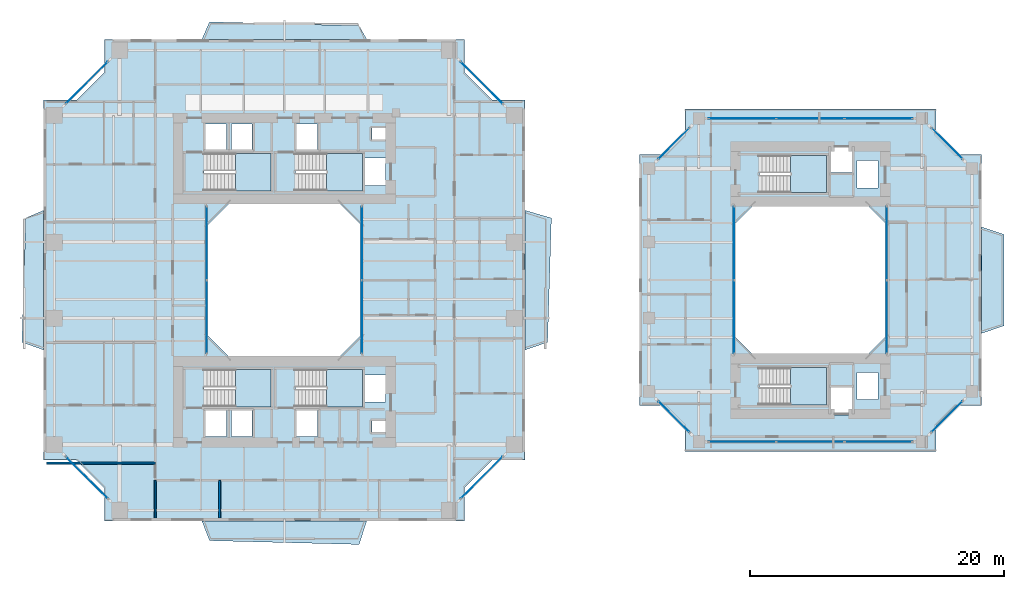
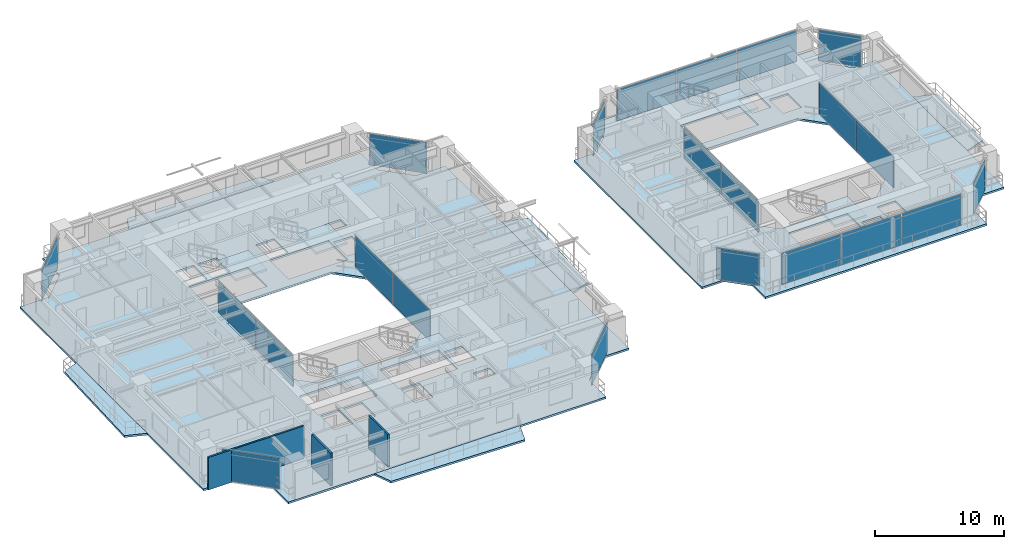
# One storey, part 11 of 24: 22 plates, 13 slabs, 3 walls, 20 elements without a shape of their own.
"""IFC4 building model written with IfcOpenShell, lengths in metres."""

from ifc_helpers import new_model, si_unit, direction, frame, frame_2d, origin, origin_2d, place, context, subcontext, project, spatial, polyline, rectangle, outline, extrude, source, transform, mapped, material, layer, layer_set, type_object, element, aggregate, save


model = new_model("IFC4")

# Units and contexts
model_context = context("Model", 3, precision=1e-05, world=origin(), true_north=direction((0.0, 1.0)))
body_context = subcontext(model_context, "Body", "Model", "MODEL_VIEW")
ifc_project = project(units=[si_unit("LENGTHUNIT", "METRE"), si_unit("AREAUNIT", "SQUARE_METRE"), si_unit("VOLUMEUNIT", "CUBIC_METRE"), si_unit("PLANEANGLEUNIT", "RADIAN"), si_unit("MASSUNIT", "GRAM", prefix="KILO"), si_unit("THERMODYNAMICTEMPERATUREUNIT", "KELVIN"), si_unit("POWERUNIT", "WATT")], contexts=[model_context])

# Site, building, storey
site_placement = place(None, origin())
site = spatial("IfcSite", under=ifc_project, at=site_placement, CompositionType="ELEMENT")
building_placement = place(site_placement, origin())
building = spatial("IfcBuilding", under=site, at=building_placement, Name="Qiaomeng Ring Towers", CompositionType="ELEMENT")
storey_placement = place(building_placement, frame((0.0, 0.0, 56.75)))
storey = spatial("IfcBuildingStorey", under=building, at=storey_placement, Name="L15", CompositionType="ELEMENT", Elevation=56.75)

# Slabs
ifc_material_1 = material(Name="Concrete C40", Category="concrete")
ifc_layer_1 = layer(ifc_material_1, 0.179931640625, Name="Concrete C40")
ifc_layer_set_1 = layer_set([ifc_layer_1], Name="Concrete C40")
slab_type_1 = type_object("IfcSlabType", Name="STR-SL-180", PredefinedType="FLOOR", material=ifc_layer_set_1)
slab_1_placement = place(storey_placement, frame((0.0, 0.0, -0.179931640625)))
element("IfcSlab", 1, at=slab_1_placement, inside=storey, type_object=slab_type_1, Name="L15 Tower 1 Annular Floor Slab", PredefinedType="FLOOR", context=body_context, shape_type="SweptSolid", body=[
    extrude(outline(polyline([(4.800048828125, 4.0), (33.199951171875, 4.0), (33.199951171875, 6.60009765625), (35.39990234375, 8.800048828125), (38.0, 8.800048828125), (38.0, 37.199951171875), (35.39990234375, 37.199951171875), (33.199951171875, 39.39990234375), (33.199951171875, 42.0), (4.800048828125, 42.0), (4.800048828125, 39.39990234375), (2.60009765625, 37.199951171875), (0.0, 37.199951171875), (0.0, 8.800048828125), (2.60009765625, 8.800048828125), (4.800048828125, 6.60009765625), (4.800048828125, 4.0)]), holes=[polyline([(12.780029296875, 10.679931640625), (12.780029296875, 12.820068359375), (14.419921875, 12.820068359375), (14.419921875, 10.679931640625), (12.780029296875, 10.679931640625)]), polyline([(14.830078125, 12.820068359375), (16.469970703125, 12.820068359375), (16.469970703125, 10.679931640625), (14.830078125, 10.679931640625), (14.830078125, 12.820068359375)]), polyline([(12.679931640625, 15.949951171875), (17.949951171875, 15.949951171875), (17.949951171875, 13.010009765625), (12.679931640625, 13.010009765625), (12.679931640625, 15.949951171875)]), polyline([(25.199951171875, 27.199951171875), (25.199951171875, 18.800048828125), (23.199951171875, 16.800048828125), (14.800048828125, 16.800048828125), (12.800048828125, 18.800048828125), (12.800048828125, 27.199951171875), (14.800048828125, 29.199951171875), (23.199951171875, 29.199951171875), (25.199951171875, 27.199951171875)]), polyline([(12.679931640625, 32.989990234375), (17.949951171875, 32.989990234375), (17.949951171875, 30.050048828125), (12.679931640625, 30.050048828125), (12.679931640625, 32.989990234375)]), polyline([(12.780029296875, 35.320068359375), (14.419921875, 35.320068359375), (14.419921875, 33.179931640625), (12.780029296875, 33.179931640625), (12.780029296875, 35.320068359375)]), polyline([(14.830078125, 35.320068359375), (16.469970703125, 35.320068359375), (16.469970703125, 33.179931640625), (14.830078125, 33.179931640625), (14.830078125, 35.320068359375)]), polyline([(19.97998046875, 35.320068359375), (21.6201171875, 35.320068359375), (21.6201171875, 33.179931640625), (19.97998046875, 33.179931640625), (19.97998046875, 35.320068359375)]), polyline([(25.919921875, 11.89990234375), (27.360107421875, 11.89990234375), (27.360107421875, 11.0), (25.919921875, 11.0), (25.919921875, 11.89990234375)]), polyline([(19.97998046875, 12.820068359375), (21.6201171875, 12.820068359375), (21.6201171875, 10.679931640625), (19.97998046875, 10.679931640625), (19.97998046875, 12.820068359375)]), polyline([(25.360107421875, 15.52001953125), (27.0, 15.52001953125), (27.0, 13.3798828125), (25.360107421875, 13.3798828125), (25.360107421875, 15.52001953125)]), polyline([(19.8798828125, 15.949951171875), (25.14990234375, 15.949951171875), (25.14990234375, 13.010009765625), (19.8798828125, 13.010009765625), (19.8798828125, 15.949951171875)]), polyline([(19.8798828125, 32.989990234375), (25.14990234375, 32.989990234375), (25.14990234375, 30.050048828125), (19.8798828125, 30.050048828125), (19.8798828125, 32.989990234375)]), polyline([(25.360107421875, 32.6201171875), (27.0, 32.6201171875), (27.0, 30.47998046875), (25.360107421875, 30.47998046875), (25.360107421875, 32.6201171875)]), polyline([(25.919921875, 35.0), (27.360107421875, 35.0), (27.360107421875, 34.10009765625), (25.919921875, 34.10009765625), (25.919921875, 35.0)])]), origin(), (0.0, 0.0, 1.0), 0.179931640625),
])
slab_2_placement = place(storey_placement, frame((0.0, 0.0, -0.179931640625)))
element("IfcSlab", 2, at=slab_2_placement, inside=storey, type_object=slab_type_1, Name="L15 Companion Tower 2 Annular Floor Slab", PredefinedType="FLOOR", context=body_context, shape_type="SweptSolid", body=[
    extrude(outline(polyline([(50.60009765625, 9.5), (70.39990234375, 9.5), (70.39990234375, 11.5), (72.0, 13.10009765625), (74.0, 13.10009765625), (74.0, 32.89990234375), (72.0, 32.89990234375), (70.39990234375, 34.5), (70.39990234375, 36.5), (50.60009765625, 36.5), (50.60009765625, 34.5), (49.0, 32.89990234375), (47.0, 32.89990234375), (47.0, 13.10009765625), (49.0, 13.10009765625), (50.60009765625, 11.5), (50.60009765625, 9.5)]), holes=[polyline([(62.1298828125, 12.3798828125), (62.1298828125, 14.52001953125), (63.77001953125, 14.52001953125), (63.77001953125, 12.3798828125), (62.1298828125, 12.3798828125)]), polyline([(56.47998046875, 13.159912109375), (56.47998046875, 16.10009765625), (61.75, 16.10009765625), (61.75, 13.159912109375), (56.47998046875, 13.159912109375)]), polyline([(64.179931640625, 13.580078125), (64.179931640625, 15.719970703125), (65.820068359375, 15.719970703125), (65.820068359375, 13.580078125), (64.179931640625, 13.580078125)]), polyline([(64.800048828125, 29.10009765625), (66.60009765625, 27.300048828125), (66.60009765625, 18.699951171875), (64.800048828125, 16.89990234375), (56.199951171875, 16.89990234375), (54.39990234375, 18.699951171875), (54.39990234375, 27.300048828125), (56.199951171875, 29.10009765625), (64.800048828125, 29.10009765625)]), polyline([(64.179931640625, 30.280029296875), (64.179931640625, 32.419921875), (65.820068359375, 32.419921875), (65.820068359375, 30.280029296875), (64.179931640625, 30.280029296875)]), polyline([(56.47998046875, 32.840087890625), (61.75, 32.840087890625), (61.75, 29.89990234375), (56.47998046875, 29.89990234375), (56.47998046875, 32.840087890625)]), polyline([(62.1298828125, 33.6201171875), (63.77001953125, 33.6201171875), (63.77001953125, 31.47998046875), (62.1298828125, 31.47998046875), (62.1298828125, 33.6201171875)])]), origin(), (0.0, 0.0, 1.0), 0.179931640625),
])
ifc_layer_2 = layer(ifc_material_1, 0.179931640625, Name="Concrete C40")
ifc_layer_set_2 = layer_set([ifc_layer_2], Name="Concrete C40")
slab_type_2 = type_object("IfcSlabType", Name="STR-SL-BAL", PredefinedType="FLOOR", material=ifc_layer_set_2)
slab_3_placement = place(storey_placement, frame((0.0, 0.0, -0.179931640625)))
element("IfcSlab", 3, at=slab_3_placement, inside=storey, type_object=slab_type_2, Name="L15 Tower 1 S Faceted Balcony Slab", PredefinedType="FLOOR", context=body_context, shape_type="SweptSolid", body=[
    extrude(outline(polyline([(24.89990234375, 2.14990234375), (13.10009765625, 2.449951171875), (12.5, 4.0), (25.5, 4.0), (24.89990234375, 2.14990234375)])), origin(), (0.0, 0.0, 1.0), 0.179931640625),
])
slab_4_placement = place(storey_placement, frame((0.0, 0.0, -0.179931640625)))
element("IfcSlab", 4, at=slab_4_placement, inside=storey, type_object=slab_type_2, Name="L15 Tower 1 E Faceted Balcony Slab", PredefinedType="FLOOR", context=body_context, shape_type="SweptSolid", body=[
    extrude(outline(polyline([(40.070068359375, 27.89990234375), (39.77001953125, 18.10009765625), (38.0, 17.5), (38.0, 28.5), (40.070068359375, 27.89990234375)])), origin(), (0.0, 0.0, 1.0), 0.179931640625),
])
slab_5_placement = place(storey_placement, frame((0.0, 0.0, -0.179931640625)))
element("IfcSlab", 5, at=slab_5_placement, inside=storey, type_object=slab_type_2, Name="L15 Tower 1 N Faceted Balcony Slab", PredefinedType="FLOOR", context=body_context, shape_type="SweptSolid", body=[
    extrude(outline(polyline([(12.5, 42.0), (13.10009765625, 43.3701171875), (24.89990234375, 43.070068359375), (25.5, 42.0), (12.5, 42.0)])), origin(), (0.0, 0.0, 1.0), 0.179931640625),
])
slab_6_placement = place(storey_placement, frame((0.0, 0.0, -0.179931640625)))
element("IfcSlab", 6, at=slab_6_placement, inside=storey, type_object=slab_type_2, Name="L15 Tower 1 W Faceted Balcony Slab", PredefinedType="FLOOR", context=body_context, shape_type="SweptSolid", body=[
    extrude(outline(polyline([(0.0, 17.5), (-1.699951171875, 18.10009765625), (-1.39990234375, 27.89990234375), (0.0, 28.5), (0.0, 17.5)])), origin(), (0.0, 0.0, 1.0), 0.179931640625),
])
slab_7_placement = place(storey_placement, frame((0.0, 0.0, -0.179931640625)))
element("IfcSlab", 7, at=slab_7_placement, inside=storey, type_object=slab_type_2, Name="L15 Companion East Faceted Balcony Slab", PredefinedType="FLOOR", context=body_context, shape_type="SweptSolid", body=[
    extrude(outline(polyline([(75.77001953125, 26.60009765625), (75.77001953125, 19.39990234375), (74.0, 18.800048828125), (74.0, 27.199951171875), (75.77001953125, 26.60009765625)])), origin(), (0.0, 0.0, 1.0), 0.179931640625),
])

# Stair, slab
ifc_material_2 = material(Name="Precast concrete C40", Category="concrete")
stair_type = type_object("IfcStairType", Name="ARC-ST-325", PredefinedType="HALF_TURN_STAIR", material=ifc_material_2)
stair_1_placement = place(storey_placement, origin())
stair_1 = element("IfcStair", 8, at=stair_1_placement, inside=storey, type_object=stair_type, Name="L15 Tower 1 North Stair 1", PredefinedType="HALF_TURN_STAIR")
ifc_layer_3 = layer(ifc_material_1, 0.199951171875, Name="Concrete C40")
ifc_layer_set_3 = layer_set([ifc_layer_3], Name="Concrete C40")
slab_type_3 = type_object("IfcSlabType", Name="STR-SL-LANDING", PredefinedType="LANDING", material=ifc_layer_set_3)
slab_8_placement = place(storey_placement, frame((0.0, 0.0, 1.425048828125)))
slab_8 = element("IfcSlab", 9, at=slab_8_placement, type_object=slab_type_3, Name="ST1 landing 1", PredefinedType="LANDING", context=body_context, shape_type="SweptSolid", body=[
    extrude(outline(polyline([(15.139892578125, 30.050048828125), (17.949951171875, 30.050048828125), (17.949951171875, 32.989990234375), (15.139892578125, 32.989990234375), (15.139892578125, 30.050048828125)])), origin(), (0.0, 0.0, 1.0), 0.199951171875),
])
aggregate(stair_1, [slab_8])

stair_2_placement = place(storey_placement, origin())
stair_2 = element("IfcStair", 10, at=stair_2_placement, inside=storey, type_object=stair_type, Name="L15 Tower 1 North Stair 2", PredefinedType="HALF_TURN_STAIR")
slab_9_placement = place(storey_placement, frame((0.0, 0.0, 1.425048828125)))
slab_9 = element("IfcSlab", 11, at=slab_9_placement, type_object=slab_type_3, Name="ST2 landing 1", PredefinedType="LANDING", context=body_context, shape_type="SweptSolid", body=[
    extrude(outline(polyline([(22.340087890625, 30.050048828125), (25.14990234375, 30.050048828125), (25.14990234375, 32.989990234375), (22.340087890625, 32.989990234375), (22.340087890625, 30.050048828125)])), origin(), (0.0, 0.0, 1.0), 0.199951171875),
])
aggregate(stair_2, [slab_9])

stair_3_placement = place(storey_placement, origin())
stair_3 = element("IfcStair", 12, at=stair_3_placement, inside=storey, type_object=stair_type, Name="L15 Tower 1 South Stair 3", PredefinedType="HALF_TURN_STAIR")
slab_10_placement = place(storey_placement, frame((0.0, 0.0, 1.425048828125)))
slab_10 = element("IfcSlab", 13, at=slab_10_placement, type_object=slab_type_3, Name="ST3 landing 1", PredefinedType="LANDING", context=body_context, shape_type="SweptSolid", body=[
    extrude(outline(polyline([(15.139892578125, 13.010009765625), (17.949951171875, 13.010009765625), (17.949951171875, 15.949951171875), (15.139892578125, 15.949951171875), (15.139892578125, 13.010009765625)])), origin(), (0.0, 0.0, 1.0), 0.199951171875),
])
aggregate(stair_3, [slab_10])

stair_4_placement = place(storey_placement, origin())
stair_4 = element("IfcStair", 14, at=stair_4_placement, inside=storey, type_object=stair_type, Name="L15 Tower 1 South Stair 4", PredefinedType="HALF_TURN_STAIR")
slab_11_placement = place(storey_placement, frame((0.0, 0.0, 1.425048828125)))
slab_11 = element("IfcSlab", 15, at=slab_11_placement, type_object=slab_type_3, Name="ST4 landing 1", PredefinedType="LANDING", context=body_context, shape_type="SweptSolid", body=[
    extrude(outline(polyline([(22.340087890625, 13.010009765625), (25.14990234375, 13.010009765625), (25.14990234375, 15.949951171875), (22.340087890625, 15.949951171875), (22.340087890625, 13.010009765625)])), origin(), (0.0, 0.0, 1.0), 0.199951171875),
])
aggregate(stair_4, [slab_11])

stair_5_placement = place(storey_placement, origin())
stair_5 = element("IfcStair", 16, at=stair_5_placement, inside=storey, type_object=stair_type, Name="L15 Companion North Stair 5", PredefinedType="HALF_TURN_STAIR")
slab_12_placement = place(storey_placement, frame((0.0, 0.0, 1.425048828125)))
slab_12 = element("IfcSlab", 17, at=slab_12_placement, type_object=slab_type_3, Name="ST5 landing 1", PredefinedType="LANDING", context=body_context, shape_type="SweptSolid", body=[
    extrude(outline(polyline([(58.93994140625, 29.89990234375), (61.75, 29.89990234375), (61.75, 32.840087890625), (58.93994140625, 32.840087890625), (58.93994140625, 29.89990234375)])), origin(), (0.0, 0.0, 1.0), 0.199951171875),
])
aggregate(stair_5, [slab_12])

stair_6_placement = place(storey_placement, origin())
stair_6 = element("IfcStair", 18, at=stair_6_placement, inside=storey, type_object=stair_type, Name="L15 Companion South Stair 6", PredefinedType="HALF_TURN_STAIR")
slab_13_placement = place(storey_placement, frame((0.0, 0.0, 1.425048828125)))
slab_13 = element("IfcSlab", 19, at=slab_13_placement, type_object=slab_type_3, Name="ST6 landing 1", PredefinedType="LANDING", context=body_context, shape_type="SweptSolid", body=[
    extrude(outline(polyline([(58.93994140625, 13.159912109375), (61.75, 13.159912109375), (61.75, 16.10009765625), (58.93994140625, 16.10009765625), (58.93994140625, 13.159912109375)])), origin(), (0.0, 0.0, 1.0), 0.199951171875),
])
aggregate(stair_6, [slab_13])

# Curtain wall, plates
ifc_material_3 = material(Name="Fluorocarbon dark-grey aluminium", Category="aluminium")
ifc_layer_4 = layer(ifc_material_3, 0.139892578125, Name="Fluorocarbon dark-grey aluminium")
ifc_layer_set_4 = layer_set([ifc_layer_4], Name="Fluorocarbon dark-grey aluminium")
curtain_wall_type_1 = type_object("IfcCurtainWallType", Name="ARC-CW-4", PredefinedType="NOTDEFINED", material=ifc_layer_set_4)
curtain_wall_1_placement = place(storey_placement, origin())
curtain_wall_1 = element("IfcCurtainWall", 20, at=curtain_wall_1_placement, inside=storey, type_object=curtain_wall_type_1, Name="L15 Curtain Wall CW4", PredefinedType="NOTDEFINED")
ifc_material_4 = material(Name="Low-E dark-grey laminated double glazing", Category="glass")
ifc_layer_5 = layer(ifc_material_4, 0.028076171875, Name="Low-E dark-grey laminated double glazing")
ifc_layer_set_5 = layer_set([ifc_layer_5], Name="Low-E dark-grey laminated double glazing")
plate_type = type_object("IfcPlateType", Name="ARC-CWP-DARK", PredefinedType="CURTAIN_PANEL", material=ifc_layer_set_5)
shared_shape_1 = source(origin(), body_context, "Body", "SweptSolid", [
    extrude(rectangle(XDim=5.75244140625, YDim=0.028076171875, at=origin_2d()), origin(), (0.0, 0.0, 1.0), 2.93994140625),
])
plate_1_placement = place(storey_placement, frame((12.8798828125, 20.09130859375, 0.06494140625), z_axis=(0.0, 0.0, 1.0), x_axis=(0.0, 1.0, 0.0)))
plate_1 = element("IfcPlate", 21, at=plate_1_placement, type_object=plate_type, Name="CW4 panel 1.1", PredefinedType="CURTAIN_PANEL", context=body_context, shape_type="MappedRepresentation", body=[
    mapped(shared_shape_1, transform((0.0, 0.0, 0.0), x_axis=(1.0, 0.0, 0.0), y_axis=(0.0, 1.0, 0.0), z_axis=(0.0, 0.0, 1.0), scale=1.0)),
])
plate_2_placement = place(storey_placement, frame((12.8798828125, 25.90869140625, 0.06494140625), z_axis=(0.0, 0.0, 1.0), x_axis=(0.0, 1.0, 0.0)))
plate_2 = element("IfcPlate", 22, at=plate_2_placement, type_object=plate_type, Name="CW4 panel 2.1", PredefinedType="CURTAIN_PANEL", context=body_context, shape_type="MappedRepresentation", body=[
    mapped(shared_shape_1, transform((0.0, 0.0, 0.0), x_axis=(1.0, 0.0, 0.0), y_axis=(0.0, 1.0, 0.0), z_axis=(0.0, 0.0, 1.0), scale=1.0)),
])
aggregate(curtain_wall_1, [plate_1, plate_2])

curtain_wall_2_placement = place(storey_placement, origin())
curtain_wall_2 = element("IfcCurtainWall", 23, at=curtain_wall_2_placement, inside=storey, type_object=curtain_wall_type_1, Name="L15 Curtain Wall CW4", PredefinedType="NOTDEFINED")
plate_3_placement = place(storey_placement, frame((25.1201171875, 20.09130859375, 0.06494140625), z_axis=(0.0, 0.0, 1.0), x_axis=(0.0, 1.0, 0.0)))
plate_3 = element("IfcPlate", 24, at=plate_3_placement, type_object=plate_type, Name="CW4 panel 1.1", PredefinedType="CURTAIN_PANEL", context=body_context, shape_type="MappedRepresentation", body=[
    mapped(shared_shape_1, transform((0.0, 0.0, 0.0), x_axis=(1.0, 0.0, 0.0), y_axis=(0.0, 1.0, 0.0), z_axis=(0.0, 0.0, 1.0), scale=1.0)),
])
plate_4_placement = place(storey_placement, frame((25.1201171875, 25.90869140625, 0.06494140625), z_axis=(0.0, 0.0, 1.0), x_axis=(0.0, 1.0, 0.0)))
plate_4 = element("IfcPlate", 25, at=plate_4_placement, type_object=plate_type, Name="CW4 panel 2.1", PredefinedType="CURTAIN_PANEL", context=body_context, shape_type="MappedRepresentation", body=[
    mapped(shared_shape_1, transform((0.0, 0.0, 0.0), x_axis=(1.0, 0.0, 0.0), y_axis=(0.0, 1.0, 0.0), z_axis=(0.0, 0.0, 1.0), scale=1.0)),
])
aggregate(curtain_wall_2, [plate_3, plate_4])

curtain_wall_3_placement = place(storey_placement, origin())
curtain_wall_3 = element("IfcCurtainWall", 26, at=curtain_wall_3_placement, inside=storey, type_object=curtain_wall_type_1, Name="L15 Curtain Wall CW4", PredefinedType="NOTDEFINED")
plate_5_placement = place(storey_placement, frame((54.47998046875, 20.09130859375, 0.06494140625), z_axis=(0.0, 0.0, 1.0), x_axis=(0.0, 1.0, 0.0)))
plate_5 = element("IfcPlate", 27, at=plate_5_placement, type_object=plate_type, Name="CW4 panel 1.1", PredefinedType="CURTAIN_PANEL", context=body_context, shape_type="MappedRepresentation", body=[
    mapped(shared_shape_1, transform((0.0, 0.0, 0.0), x_axis=(1.0, 0.0, 0.0), y_axis=(0.0, 1.0, 0.0), z_axis=(0.0, 0.0, 1.0), scale=1.0)),
])
plate_6_placement = place(storey_placement, frame((54.47998046875, 25.90869140625, 0.06494140625), z_axis=(0.0, 0.0, 1.0), x_axis=(0.0, 1.0, 0.0)))
plate_6 = element("IfcPlate", 28, at=plate_6_placement, type_object=plate_type, Name="CW4 panel 2.1", PredefinedType="CURTAIN_PANEL", context=body_context, shape_type="MappedRepresentation", body=[
    mapped(shared_shape_1, transform((0.0, 0.0, 0.0), x_axis=(1.0, 0.0, 0.0), y_axis=(0.0, 1.0, 0.0), z_axis=(0.0, 0.0, 1.0), scale=1.0)),
])
aggregate(curtain_wall_3, [plate_5, plate_6])

curtain_wall_4_placement = place(storey_placement, origin())
curtain_wall_4 = element("IfcCurtainWall", 29, at=curtain_wall_4_placement, inside=storey, type_object=curtain_wall_type_1, Name="L15 Curtain Wall CW4", PredefinedType="NOTDEFINED")
plate_7_placement = place(storey_placement, frame((66.52001953125, 20.09130859375, 0.06494140625), z_axis=(0.0, 0.0, 1.0), x_axis=(0.0, 1.0, 0.0)))
plate_7 = element("IfcPlate", 30, at=plate_7_placement, type_object=plate_type, Name="CW4 panel 1.1", PredefinedType="CURTAIN_PANEL", context=body_context, shape_type="MappedRepresentation", body=[
    mapped(shared_shape_1, transform((0.0, 0.0, 0.0), x_axis=(1.0, 0.0, 0.0), y_axis=(0.0, 1.0, 0.0), z_axis=(0.0, 0.0, 1.0), scale=1.0)),
])
plate_8_placement = place(storey_placement, frame((66.52001953125, 25.90869140625, 0.06494140625), z_axis=(0.0, 0.0, 1.0), x_axis=(0.0, 1.0, 0.0)))
plate_8 = element("IfcPlate", 31, at=plate_8_placement, type_object=plate_type, Name="CW4 panel 2.1", PredefinedType="CURTAIN_PANEL", context=body_context, shape_type="MappedRepresentation", body=[
    mapped(shared_shape_1, transform((0.0, 0.0, 0.0), x_axis=(1.0, 0.0, 0.0), y_axis=(0.0, 1.0, 0.0), z_axis=(0.0, 0.0, 1.0), scale=1.0)),
])
aggregate(curtain_wall_4, [plate_7, plate_8])

# Curtain wall, plate
ifc_layer_6 = layer(ifc_material_3, 0.159912109375, Name="Fluorocarbon dark-grey aluminium")
ifc_layer_set_6 = layer_set([ifc_layer_6], Name="Fluorocarbon dark-grey aluminium")
curtain_wall_type_2 = type_object("IfcCurtainWallType", Name="ARC-CW-2", PredefinedType="NOTDEFINED", material=ifc_layer_set_6)
curtain_wall_5_placement = place(storey_placement, origin())
curtain_wall_5 = element("IfcCurtainWall", 32, at=curtain_wall_5_placement, inside=storey, type_object=curtain_wall_type_2, Name="L15 Curtain Wall CW2", PredefinedType="NOTDEFINED")
shared_shape_2 = source(origin(), body_context, "Body", "SweptSolid", [
    extrude(rectangle(XDim=4.6259765625, YDim=0.028076171875, at=origin_2d()), origin(), (0.0, 0.0, 1.0), 2.93994140625),
])
plate_9_placement = place(storey_placement, frame((34.574951171875, 7.425048828125, 0.06494140625), z_axis=(0.0, 0.0, 1.0), x_axis=(0.707106781187, 0.707106781187, 0.0)))
plate_9 = element("IfcPlate", 33, at=plate_9_placement, type_object=plate_type, Name="CW2 panel 1.1", PredefinedType="CURTAIN_PANEL", context=body_context, shape_type="MappedRepresentation", body=[
    mapped(shared_shape_2, transform((0.0, 0.0, 0.0), x_axis=(1.0, 0.0, 0.0), y_axis=(0.0, 1.0, 0.0), z_axis=(0.0, 0.0, 1.0), scale=1.0)),
])
aggregate(curtain_wall_5, [plate_9])

curtain_wall_6_placement = place(storey_placement, origin())
curtain_wall_6 = element("IfcCurtainWall", 34, at=curtain_wall_6_placement, inside=storey, type_object=curtain_wall_type_2, Name="L15 Curtain Wall CW2", PredefinedType="NOTDEFINED")
plate_10_placement = place(storey_placement, frame((34.574951171875, 38.574951171875, 0.06494140625), z_axis=(0.0, 0.0, 1.0), x_axis=(-0.707106781187, 0.707106781187, 0.0)))
plate_10 = element("IfcPlate", 35, at=plate_10_placement, type_object=plate_type, Name="CW2 panel 1.1", PredefinedType="CURTAIN_PANEL", context=body_context, shape_type="MappedRepresentation", body=[
    mapped(shared_shape_2, transform((0.0, 0.0, 0.0), x_axis=(1.0, 0.0, 0.0), y_axis=(0.0, 1.0, 0.0), z_axis=(0.0, 0.0, 1.0), scale=1.0)),
])
aggregate(curtain_wall_6, [plate_10])

curtain_wall_7_placement = place(storey_placement, origin())
curtain_wall_7 = element("IfcCurtainWall", 36, at=curtain_wall_7_placement, inside=storey, type_object=curtain_wall_type_2, Name="L15 Curtain Wall CW2", PredefinedType="NOTDEFINED")
plate_11_placement = place(storey_placement, frame((3.425048828125, 38.574951171875, 0.06494140625), z_axis=(0.0, 0.0, 1.0), x_axis=(-0.707106781187, -0.707106781187, 0.0)))
plate_11 = element("IfcPlate", 37, at=plate_11_placement, type_object=plate_type, Name="CW2 panel 1.1", PredefinedType="CURTAIN_PANEL", context=body_context, shape_type="MappedRepresentation", body=[
    mapped(shared_shape_2, transform((0.0, 0.0, 0.0), x_axis=(1.0, 0.0, 0.0), y_axis=(0.0, 1.0, 0.0), z_axis=(0.0, 0.0, 1.0), scale=1.0)),
])
aggregate(curtain_wall_7, [plate_11])

curtain_wall_8_placement = place(storey_placement, origin())
curtain_wall_8 = element("IfcCurtainWall", 38, at=curtain_wall_8_placement, inside=storey, type_object=curtain_wall_type_2, Name="L15 Curtain Wall CW2", PredefinedType="NOTDEFINED")
plate_12_placement = place(storey_placement, frame((3.425048828125, 7.425048828125, 0.06494140625), z_axis=(0.0, 0.0, 1.0), x_axis=(0.707106781187, -0.707106781187, 0.0)))
plate_12 = element("IfcPlate", 39, at=plate_12_placement, type_object=plate_type, Name="CW2 panel 1.1", PredefinedType="CURTAIN_PANEL", context=body_context, shape_type="MappedRepresentation", body=[
    mapped(shared_shape_2, transform((0.0, 0.0, 0.0), x_axis=(1.0, 0.0, 0.0), y_axis=(0.0, 1.0, 0.0), z_axis=(0.0, 0.0, 1.0), scale=1.0)),
])
aggregate(curtain_wall_8, [plate_12])

# Curtain wall, plates
ifc_layer_7 = layer(ifc_material_3, 0.14990234375, Name="Fluorocarbon dark-grey aluminium")
ifc_layer_set_7 = layer_set([ifc_layer_7], Name="Fluorocarbon dark-grey aluminium")
curtain_wall_type_3 = type_object("IfcCurtainWallType", Name="ARC-CW-5", PredefinedType="NOTDEFINED", material=ifc_layer_set_7)
curtain_wall_9_placement = place(storey_placement, origin())
curtain_wall_9 = element("IfcCurtainWall", 40, at=curtain_wall_9_placement, inside=storey, type_object=curtain_wall_type_3, Name="L15 Curtain Wall CW5", PredefinedType="NOTDEFINED")
shared_shape_3 = source(origin(), body_context, "Body", "SweptSolid", [
    extrude(rectangle(XDim=5.284912109375, YDim=0.028076171875, at=origin_2d()), origin(), (0.0, 0.0, 1.0), 2.93994140625),
])
plate_13_placement = place(storey_placement, frame((55.12744140625, 35.75, 0.06494140625), z_axis=(0.0, 0.0, 1.0), x_axis=(1.0, 0.0, 0.0)))
plate_13 = element("IfcPlate", 41, at=plate_13_placement, type_object=plate_type, Name="CW5 panel 1.1", PredefinedType="CURTAIN_PANEL", context=body_context, shape_type="MappedRepresentation", body=[
    mapped(shared_shape_3, transform((0.0, 0.0, 0.0), x_axis=(1.0, 0.0, 0.0), y_axis=(0.0, 1.0, 0.0), z_axis=(0.0, 0.0, 1.0), scale=1.0)),
])
plate_14_placement = place(storey_placement, frame((65.87255859375, 35.75, 0.06494140625), z_axis=(0.0, 0.0, 1.0), x_axis=(1.0, 0.0, 0.0)))
plate_14 = element("IfcPlate", 42, at=plate_14_placement, type_object=plate_type, Name="CW5 panel 3.1", PredefinedType="CURTAIN_PANEL", context=body_context, shape_type="MappedRepresentation", body=[
    mapped(shared_shape_3, transform((0.0, 0.0, 0.0), x_axis=(1.0, 0.0, 0.0), y_axis=(0.0, 1.0, 0.0), z_axis=(0.0, 0.0, 1.0), scale=1.0)),
])

curtain_wall_10_placement = place(storey_placement, origin())
curtain_wall_10 = element("IfcCurtainWall", 43, at=curtain_wall_10_placement, inside=storey, type_object=curtain_wall_type_3, Name="L15 Curtain Wall CW5", PredefinedType="NOTDEFINED")
plate_15_placement = place(storey_placement, frame((55.12744140625, 10.25, 0.06494140625), z_axis=(0.0, 0.0, 1.0), x_axis=(1.0, 0.0, 0.0)))
plate_15 = element("IfcPlate", 44, at=plate_15_placement, type_object=plate_type, Name="CW5 panel 1.1", PredefinedType="CURTAIN_PANEL", context=body_context, shape_type="MappedRepresentation", body=[
    mapped(shared_shape_3, transform((0.0, 0.0, 0.0), x_axis=(1.0, 0.0, 0.0), y_axis=(0.0, 1.0, 0.0), z_axis=(0.0, 0.0, 1.0), scale=1.0)),
])
plate_16_placement = place(storey_placement, frame((65.87255859375, 10.25, 0.06494140625), z_axis=(0.0, 0.0, 1.0), x_axis=(1.0, 0.0, 0.0)))
plate_16 = element("IfcPlate", 45, at=plate_16_placement, type_object=plate_type, Name="CW5 panel 3.1", PredefinedType="CURTAIN_PANEL", context=body_context, shape_type="MappedRepresentation", body=[
    mapped(shared_shape_3, transform((0.0, 0.0, 0.0), x_axis=(1.0, 0.0, 0.0), y_axis=(0.0, 1.0, 0.0), z_axis=(0.0, 0.0, 1.0), scale=1.0)),
])

# Plate
shared_shape_4 = source(origin(), body_context, "Body", "SweptSolid", [
    extrude(rectangle(XDim=5.320068359375, YDim=0.028076171875, at=origin_2d()), origin(), (0.0, 0.0, 1.0), 2.93994140625),
])
plate_17_placement = place(storey_placement, frame((60.5, 35.75, 0.06494140625), z_axis=(0.0, 0.0, 1.0), x_axis=(1.0, 0.0, 0.0)))
plate_17 = element("IfcPlate", 46, at=plate_17_placement, type_object=plate_type, Name="CW5 panel 2.1", PredefinedType="CURTAIN_PANEL", context=body_context, shape_type="MappedRepresentation", body=[
    mapped(shared_shape_4, transform((0.0, 0.0, 0.0), x_axis=(1.0, 0.0, 0.0), y_axis=(0.0, 1.0, 0.0), z_axis=(0.0, 0.0, 1.0), scale=1.0)),
])

aggregate(curtain_wall_9, [plate_13, plate_17, plate_14])

plate_18_placement = place(storey_placement, frame((60.5, 10.25, 0.06494140625), z_axis=(0.0, 0.0, 1.0), x_axis=(1.0, 0.0, 0.0)))
plate_18 = element("IfcPlate", 47, at=plate_18_placement, type_object=plate_type, Name="CW5 panel 2.1", PredefinedType="CURTAIN_PANEL", context=body_context, shape_type="MappedRepresentation", body=[
    mapped(shared_shape_4, transform((0.0, 0.0, 0.0), x_axis=(1.0, 0.0, 0.0), y_axis=(0.0, 1.0, 0.0), z_axis=(0.0, 0.0, 1.0), scale=1.0)),
])

aggregate(curtain_wall_10, [plate_15, plate_18, plate_16])

# Curtain wall, plate
curtain_wall_11_placement = place(storey_placement, origin())
curtain_wall_11 = element("IfcCurtainWall", 48, at=curtain_wall_11_placement, inside=storey, type_object=curtain_wall_type_3, Name="L15 Curtain Wall CW5", PredefinedType="NOTDEFINED")
shared_shape_5 = source(origin(), body_context, "Body", "SweptSolid", [
    extrude(rectangle(XDim=3.423828125, YDim=0.028076171875, at=origin_2d()), origin(), (0.0, 0.0, 1.0), 2.93994140625),
])
plate_19_placement = place(storey_placement, frame((71.27490234375, 12.22509765625, 0.06494140625), z_axis=(0.0, 0.0, 1.0), x_axis=(0.707106781187, 0.707106781187, 0.0)))
plate_19 = element("IfcPlate", 49, at=plate_19_placement, type_object=plate_type, Name="CW5 panel 1.1", PredefinedType="CURTAIN_PANEL", context=body_context, shape_type="MappedRepresentation", body=[
    mapped(shared_shape_5, transform((0.0, 0.0, 0.0), x_axis=(1.0, 0.0, 0.0), y_axis=(0.0, 1.0, 0.0), z_axis=(0.0, 0.0, 1.0), scale=1.0)),
])
aggregate(curtain_wall_11, [plate_19])

curtain_wall_12_placement = place(storey_placement, origin())
curtain_wall_12 = element("IfcCurtainWall", 50, at=curtain_wall_12_placement, inside=storey, type_object=curtain_wall_type_3, Name="L15 Curtain Wall CW5", PredefinedType="NOTDEFINED")
plate_20_placement = place(storey_placement, frame((71.27490234375, 33.77490234375, 0.06494140625), z_axis=(0.0, 0.0, 1.0), x_axis=(-0.707106781187, 0.707106781187, 0.0)))
plate_20 = element("IfcPlate", 51, at=plate_20_placement, type_object=plate_type, Name="CW5 panel 1.1", PredefinedType="CURTAIN_PANEL", context=body_context, shape_type="MappedRepresentation", body=[
    mapped(shared_shape_5, transform((0.0, 0.0, 0.0), x_axis=(1.0, 0.0, 0.0), y_axis=(0.0, 1.0, 0.0), z_axis=(0.0, 0.0, 1.0), scale=1.0)),
])
aggregate(curtain_wall_12, [plate_20])

curtain_wall_13_placement = place(storey_placement, origin())
curtain_wall_13 = element("IfcCurtainWall", 52, at=curtain_wall_13_placement, inside=storey, type_object=curtain_wall_type_3, Name="L15 Curtain Wall CW5", PredefinedType="NOTDEFINED")
plate_21_placement = place(storey_placement, frame((49.72509765625, 33.77490234375, 0.06494140625), z_axis=(0.0, 0.0, 1.0), x_axis=(-0.707106781187, -0.707106781187, 0.0)))
plate_21 = element("IfcPlate", 53, at=plate_21_placement, type_object=plate_type, Name="CW5 panel 1.1", PredefinedType="CURTAIN_PANEL", context=body_context, shape_type="MappedRepresentation", body=[
    mapped(shared_shape_5, transform((0.0, 0.0, 0.0), x_axis=(1.0, 0.0, 0.0), y_axis=(0.0, 1.0, 0.0), z_axis=(0.0, 0.0, 1.0), scale=1.0)),
])
aggregate(curtain_wall_13, [plate_21])

curtain_wall_14_placement = place(storey_placement, origin())
curtain_wall_14 = element("IfcCurtainWall", 54, at=curtain_wall_14_placement, inside=storey, type_object=curtain_wall_type_3, Name="L15 Curtain Wall CW5", PredefinedType="NOTDEFINED")
plate_22_placement = place(storey_placement, frame((49.72509765625, 12.22509765625, 0.06494140625), z_axis=(0.0, 0.0, 1.0), x_axis=(0.707106781187, -0.707106781187, 0.0)))
plate_22 = element("IfcPlate", 55, at=plate_22_placement, type_object=plate_type, Name="CW5 panel 1.1", PredefinedType="CURTAIN_PANEL", context=body_context, shape_type="MappedRepresentation", body=[
    mapped(shared_shape_5, transform((0.0, 0.0, 0.0), x_axis=(1.0, 0.0, 0.0), y_axis=(0.0, 1.0, 0.0), z_axis=(0.0, 0.0, 1.0), scale=1.0)),
])
aggregate(curtain_wall_14, [plate_22])

# Walls
ifc_material_5 = material(Name="Gypsum fireboard steel-stud partition", Category="steel")
ifc_layer_8 = layer(ifc_material_5, 0.14990234375, Name="Gypsum fireboard steel-stud partition")
ifc_layer_set_8 = layer_set([ifc_layer_8], Name="Gypsum fireboard steel-stud partition")
wall_type = type_object("IfcWallType", Name="ARC-WL-PW3", PredefinedType="PARTITIONING", material=ifc_layer_set_8)
for number, where, z_axis, x_axis, name in (
    (56, (13.89990234375, 4.25, 0.0), (0.0, 0.0, 1.0), (0.0, 1.0, 0.0), "L15 Interior Wall PW3"),
    (57, (8.820068359375, 4.25, 0.0), (0.0, 0.0, 1.0), (0.0, 1.0, 0.0), "L15 Interior Wall PW3"),
):
    element("IfcWall", number, at=place(storey_placement, frame(where, z_axis=z_axis, x_axis=x_axis)), inside=storey, type_object=wall_type, Name=name, PredefinedType="PARTITIONING", context=body_context, shape_type="SweptSolid", body=[
        extrude(rectangle(XDim=2.9599609375, YDim=0.14990234375, at=frame_2d((1.47998046875, 0.0))), origin(), (0.0, 0.0, 1.0), 3.070068359375),
    ])
wall_placement = place(storey_placement, frame((0.25, 8.570068359375, 0.0), z_axis=(0.0, 0.0, 1.0), x_axis=(1.0, 0.0, 0.0)))
element("IfcWall", 58, at=wall_placement, inside=storey, type_object=wall_type, Name="L15 Interior Wall PW3", PredefinedType="PARTITIONING", context=body_context, shape_type="SweptSolid", body=[
    extrude(rectangle(XDim=8.570068359375, YDim=0.14990234375, at=frame_2d((4.28515625, 0.0))), origin(), (0.0, 0.0, 1.0), 3.070068359375),
])

save(model, "model.ifc")
